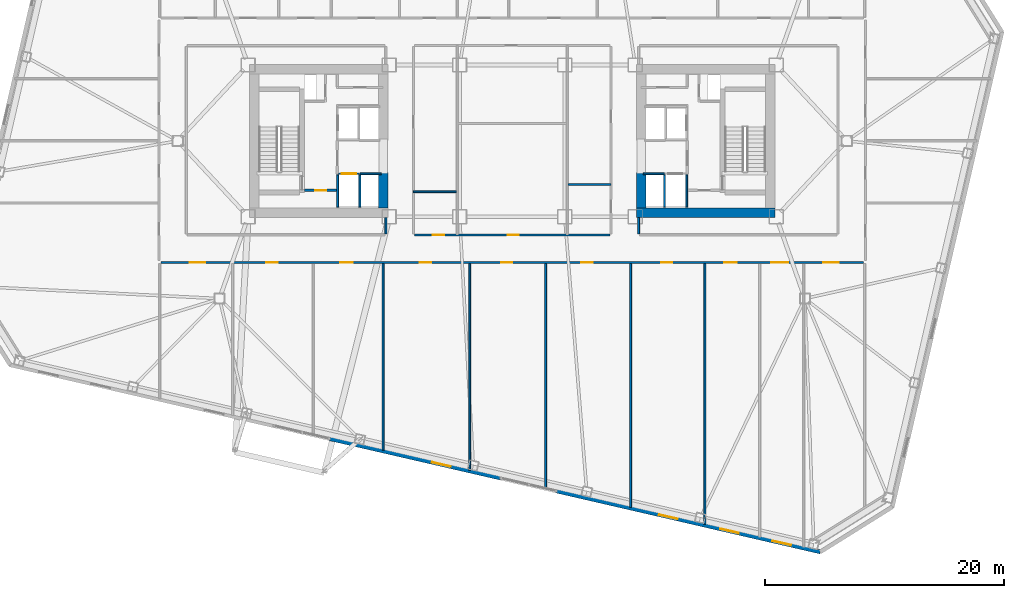
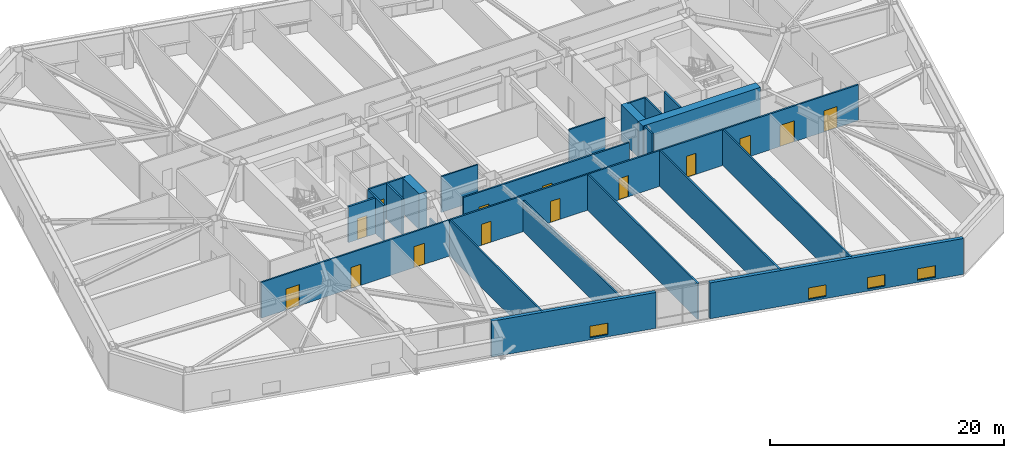
# One storey, part 10 of 20: 24 walls, 14 doors, 4 windows, 18 openings.
"""IFC4 building model written with IfcOpenShell, lengths in metres."""

from ifc_helpers import new_model, si_unit, direction, frame, frame_2d, origin, place, context, subcontext, project, spatial, rectangle, extrude, material, layer, layer_set, type_object, element, fill, save


model = new_model("IFC4")

# Units and contexts
model_context = context("Model", 3, precision=1e-05, world=origin(), true_north=direction((0.0, 1.0)))
body_context = subcontext(model_context, "Body", "Model", "MODEL_VIEW")
ifc_project = project(units=[si_unit("LENGTHUNIT", "METRE"), si_unit("AREAUNIT", "SQUARE_METRE"), si_unit("VOLUMEUNIT", "CUBIC_METRE"), si_unit("PLANEANGLEUNIT", "RADIAN"), si_unit("MASSUNIT", "GRAM", prefix="KILO")], contexts=[model_context])

# Site, building, storey
site_placement = place(None, origin())
site = spatial("IfcSite", under=ifc_project, at=site_placement, CompositionType="ELEMENT")
building_placement = place(site_placement, origin())
building = spatial("IfcBuilding", under=site, at=building_placement, Name="Tavrogorsk Clinical Tower", CompositionType="ELEMENT")
storey_placement = place(building_placement, frame((0.0, 0.0, 39.39990234375)))
storey = spatial("IfcBuildingStorey", under=building, at=storey_placement, Name="L07", CompositionType="ELEMENT", Elevation=39.39990234375)

# Wall, opening, door
ifc_material_1 = material(Name="Concrete B60", Category="concrete")
ifc_layer_1 = layer(ifc_material_1, 0.199951171875)
ifc_layer_set_1 = layer_set([ifc_layer_1], Name="Concrete B60")
wall_type_1 = type_object("IfcWallType", Name="CoreFireWall_200", PredefinedType="SOLIDWALL", material=ifc_layer_set_1)
wall_1_placement = place(storey_placement, frame((-17.3798828125, -4.139892578125, 0.0), z_axis=(0.0, 0.0, 1.0), x_axis=(1.0, 0.0, 0.0)))
wall_1 = element("IfcWall", 1, at=wall_1_placement, inside=storey, type_object=wall_type_1, Name="L07 Core West South Core Room Fire Wall", PredefinedType="SOLIDWALL", context=body_context, shape_type="SweptSolid", body=[
    extrude(rectangle(XDim=2.659912109375, YDim=0.199951171875, at=frame_2d((1.330078125, 0.0))), origin(), (0.0, 0.0, 1.0), 3.739990234375),
])
opening_1_placement = place(wall_1_placement, frame((0.8798828125, 0.0, 0.0)))
opening_1 = element("IfcOpeningElement", 2, at=opening_1_placement, cuts=wall_1, Name="Opening ID-02", PredefinedType="OPENING", context=body_context, shape_type="SweptSolid", body=[
    extrude(rectangle(XDim=0.949951171875, YDim=2.199951171875, at=frame_2d((0.47509765625, 1.10009765625))), frame((0.0, 0.10986328125, 0.0), z_axis=(0.0, -1.0, 0.0), x_axis=(1.0, 0.0, 0.0)), (0.0, 0.0, 1.0), 0.219970703125),
])
ifc_material_2 = material(Name="Laminated timber leaf on aluminium frame", Category="wood")
door_type_1 = type_object("IfcDoorType", Name="InteriorDoor_ID02_950", OperationType="NOTDEFINED", PredefinedType="DOOR", material=ifc_material_2)
door_1_placement = place(opening_1_placement, origin())
door_1 = element("IfcDoor", 3, at=door_1_placement, inside=storey, type_object=door_type_1, Name="L07 Core West South Core Room Door", OperationType="SINGLE_SWING_RIGHT", OverallHeight=2.199951171875, OverallWidth=0.949951171875, PredefinedType="DOOR", context=body_context, shape_type="SweptSolid", body=[
    extrude(rectangle(XDim=0.949951171875, YDim=2.199951171875, at=frame_2d((0.47509765625, 1.10009765625))), frame((0.0, 0.02490234375, 0.0), z_axis=(0.0, -1.0, 0.0), x_axis=(1.0, 0.0, 0.0)), (0.0, 0.0, 1.0), 0.050048828125),
])
fill(opening_1, door_1)

# Walls
ifc_material_3 = material(Name="Lightweight concrete blockwork B15", Category="masonry")
ifc_layer_2 = layer(ifc_material_3, 0.139892578125)
ifc_layer_set_2 = layer_set([ifc_layer_2], Name="Lightweight concrete blockwork B15")
wall_type_2 = type_object("IfcWallType", Name="PartitionWall_140", PredefinedType="PARTITIONING", material=ifc_layer_set_2)
for number, where, z_axis, x_axis, name in (
    (4, (-8.264892578125, -4.25, 0.0), (0.0, 0.0, 1.0), (1.0, 0.0, 0.0), "L07 Central Spine Partition 4"),
    (5, (4.675048828125, -3.64990234375, 0.0), (0.0, 0.0, 1.0), (1.0, 0.0, 0.0), "L07 Central Spine Partition 5"),
):
    element("IfcWall", number, at=place(storey_placement, frame(where, z_axis=z_axis, x_axis=x_axis)), inside=storey, type_object=wall_type_2, Name=name, PredefinedType="PARTITIONING", context=body_context, shape_type="SweptSolid", body=[
        extrude(rectangle(XDim=3.58984375, YDim=0.139892578125, at=frame_2d((1.794921875, 0.0))), origin(), (0.0, 0.0, 1.0), 3.739990234375),
    ])

# Wall, openings, doors
ifc_material_4 = material(Name="Lightweight concrete blockwork B15", Category="masonry")
ifc_layer_3 = layer(ifc_material_4, 0.159912109375)
ifc_layer_set_3 = layer_set([ifc_layer_3], Name="Lightweight concrete blockwork B15")
wall_type_3 = type_object("IfcWallType", Name="PartitionWall_160", PredefinedType="PARTITIONING", material=ifc_layer_set_3)
wall_2_placement = place(storey_placement, frame((29.4150390625, -10.179931640625, 0.0), z_axis=(0.0, 0.0, 1.0), x_axis=(-1.0, 0.0, 0.0)))
wall_2 = element("IfcWall", 6, at=wall_2_placement, inside=storey, type_object=wall_type_3, Name="L07 Corridor Partition 04", PredefinedType="PARTITIONING", context=body_context, shape_type="SweptSolid", body=[
    extrude(rectangle(XDim=58.830078125, YDim=0.159912109375, at=frame_2d((29.4150390625, 0.0))), origin(), (0.0, 0.0, 1.0), 3.739990234375),
])
opening_2_placement = place(wall_2_placement, frame((55.10595703125, 0.0, 0.0)))
opening_2 = element("IfcOpeningElement", 7, at=opening_2_placement, cuts=wall_2, Name="Opening ID-01", PredefinedType="OPENING", context=body_context, shape_type="SweptSolid", body=[
    extrude(rectangle(XDim=1.300048828125, YDim=2.199951171875, at=frame_2d((0.64990234375, 1.10009765625))), frame((0.0, 0.08984375, 0.0), z_axis=(0.0, -1.0, 0.0), x_axis=(1.0, 0.0, 0.0)), (0.0, 0.0, 1.0), 0.179931640625),
])
opening_3_placement = place(wall_2_placement, frame((49.050048828125, 0.0, 0.0)))
opening_3 = element("IfcOpeningElement", 8, at=opening_3_placement, cuts=wall_2, Name="Opening ID-02", PredefinedType="OPENING", context=body_context, shape_type="SweptSolid", body=[
    extrude(rectangle(XDim=0.949951171875, YDim=2.199951171875, at=frame_2d((0.47509765625, 1.10009765625))), frame((0.0, 0.08984375, 0.0), z_axis=(0.0, -1.0, 0.0), x_axis=(1.0, 0.0, 0.0)), (0.0, 0.0, 1.0), 0.179931640625),
])
opening_4_placement = place(wall_2_placement, frame((42.75, 0.0, 0.0)))
opening_4 = element("IfcOpeningElement", 9, at=opening_4_placement, cuts=wall_2, Name="Opening ID-04", PredefinedType="OPENING", context=body_context, shape_type="SweptSolid", body=[
    extrude(rectangle(XDim=1.050048828125, YDim=2.199951171875, at=frame_2d((0.52490234375, 1.10009765625))), frame((0.0, 0.08984375, 0.0), z_axis=(0.0, -1.0, 0.0), x_axis=(1.0, 0.0, 0.0)), (0.0, 0.0, 1.0), 0.179931640625),
])
opening_5_placement = place(wall_2_placement, frame((36.199951171875, 0.0, 0.0)))
opening_5 = element("IfcOpeningElement", 10, at=opening_5_placement, cuts=wall_2, Name="Opening ID-02", PredefinedType="OPENING", context=body_context, shape_type="SweptSolid", body=[
    extrude(rectangle(XDim=0.949951171875, YDim=2.199951171875, at=frame_2d((0.47509765625, 1.10009765625))), frame((0.0, 0.08984375, 0.0), z_axis=(0.0, -1.0, 0.0), x_axis=(1.0, 0.0, 0.0)), (0.0, 0.0, 1.0), 0.179931640625),
])
opening_6_placement = place(wall_2_placement, frame((29.39990234375, 0.0, 0.0)))
opening_6 = element("IfcOpeningElement", 11, at=opening_6_placement, cuts=wall_2, Name="Opening ID-02", PredefinedType="OPENING", context=body_context, shape_type="SweptSolid", body=[
    extrude(rectangle(XDim=0.949951171875, YDim=2.199951171875, at=frame_2d((0.47509765625, 1.10009765625))), frame((0.0, 0.08984375, 0.0), z_axis=(0.0, -1.0, 0.0), x_axis=(1.0, 0.0, 0.0)), (0.0, 0.0, 1.0), 0.179931640625),
])
opening_7_placement = place(wall_2_placement, frame((22.669921875, 0.0, 0.0)))
opening_7 = element("IfcOpeningElement", 12, at=opening_7_placement, cuts=wall_2, Name="Opening ID-02", PredefinedType="OPENING", context=body_context, shape_type="SweptSolid", body=[
    extrude(rectangle(XDim=0.949951171875, YDim=2.199951171875, at=frame_2d((0.47509765625, 1.10009765625))), frame((0.0, 0.08984375, 0.0), z_axis=(0.0, -1.0, 0.0), x_axis=(1.0, 0.0, 0.0)), (0.0, 0.0, 1.0), 0.179931640625),
])
opening_8_placement = place(wall_2_placement, frame((16.010009765625, 0.0, 0.0)))
opening_8 = element("IfcOpeningElement", 13, at=opening_8_placement, cuts=wall_2, Name="Opening ID-02", PredefinedType="OPENING", context=body_context, shape_type="SweptSolid", body=[
    extrude(rectangle(XDim=0.949951171875, YDim=2.199951171875, at=frame_2d((0.47509765625, 1.10009765625))), frame((0.0, 0.08984375, 0.0), z_axis=(0.0, -1.0, 0.0), x_axis=(1.0, 0.0, 0.0)), (0.0, 0.0, 1.0), 0.179931640625),
])
opening_9_placement = place(wall_2_placement, frame((10.610107421875, 0.0, 0.0)))
opening_9 = element("IfcOpeningElement", 14, at=opening_9_placement, cuts=wall_2, Name="Opening ID-04", PredefinedType="OPENING", context=body_context, shape_type="SweptSolid", body=[
    extrude(rectangle(XDim=1.050048828125, YDim=2.199951171875, at=frame_2d((0.52490234375, 1.10009765625))), frame((0.0, 0.08984375, 0.0), z_axis=(0.0, -1.0, 0.0), x_axis=(1.0, 0.0, 0.0)), (0.0, 0.0, 1.0), 0.179931640625),
])
opening_10_placement = place(wall_2_placement, frame((6.294921875, 0.0, 0.0)))
opening_10 = element("IfcOpeningElement", 15, at=opening_10_placement, cuts=wall_2, Name="Opening ID-05", PredefinedType="OPENING", context=body_context, shape_type="SweptSolid", body=[
    extrude(rectangle(XDim=1.449951171875, YDim=2.199951171875, at=frame_2d((0.72509765625, 1.10009765625))), frame((0.0, 0.08984375, 0.0), z_axis=(0.0, -1.0, 0.0), x_axis=(1.0, 0.0, 0.0)), (0.0, 0.0, 1.0), 0.179931640625),
])
opening_11_placement = place(wall_2_placement, frame((2.093994140625, 0.0, 0.0)))
opening_11 = element("IfcOpeningElement", 16, at=opening_11_placement, cuts=wall_2, Name="Opening ID-01", PredefinedType="OPENING", context=body_context, shape_type="SweptSolid", body=[
    extrude(rectangle(XDim=1.300048828125, YDim=2.199951171875, at=frame_2d((0.64990234375, 1.10009765625))), frame((0.0, 0.08984375, 0.0), z_axis=(0.0, -1.0, 0.0), x_axis=(1.0, 0.0, 0.0)), (0.0, 0.0, 1.0), 0.179931640625),
])
ifc_material_5 = material(Name="Antibacterial HPL consultation door on aluminium frame", Category="aluminium")
door_type_2 = type_object("IfcDoorType", Name="ConsultDoor_ID04_1050", OperationType="NOTDEFINED", PredefinedType="DOOR", material=ifc_material_5)
door_2_placement = place(opening_4_placement, origin())
door_2 = element("IfcDoor", 17, at=door_2_placement, inside=storey, type_object=door_type_2, Name="L07 South Soiled Utility & Sluice Room 02B Door", OperationType="SINGLE_SWING_LEFT", OverallHeight=2.199951171875, OverallWidth=1.050048828125, PredefinedType="DOOR", context=body_context, shape_type="SweptSolid", body=[
    extrude(rectangle(XDim=1.050048828125, YDim=2.199951171875, at=frame_2d((0.52490234375, 1.10009765625))), frame((0.0, 0.02490234375, 0.0), z_axis=(0.0, -1.0, 0.0), x_axis=(1.0, 0.0, 0.0)), (0.0, 0.0, 1.0), 0.050048828125),
])
fill(opening_4, door_2)
door_3_placement = place(opening_9_placement, origin())
door_3 = element("IfcDoor", 18, at=door_3_placement, inside=storey, type_object=door_type_2, Name="L07 South Attending Physician Office 05A Door", OperationType="SINGLE_SWING_RIGHT", OverallHeight=2.199951171875, OverallWidth=1.050048828125, PredefinedType="DOOR", context=body_context, shape_type="SweptSolid", body=[
    extrude(rectangle(XDim=1.050048828125, YDim=2.199951171875, at=frame_2d((0.52490234375, 1.10009765625))), frame((0.0, 0.02490234375, 0.0), z_axis=(0.0, -1.0, 0.0), x_axis=(1.0, 0.0, 0.0)), (0.0, 0.0, 1.0), 0.050048828125),
])
fill(opening_9, door_3)
ifc_material_6 = material(Name="Antibacterial HPL bariatric ward double door")
door_type_3 = type_object("IfcDoorType", Name="DoubleWardDoor_ID05_1450", OperationType="DOUBLE_SWING_LEFT", PredefinedType="DOOR", material=ifc_material_6)
door_4_placement = place(opening_10_placement, origin())
door_4 = element("IfcDoor", 19, at=door_4_placement, inside=storey, type_object=door_type_3, Name="L07 South Bariatric Observation Ward 05B Door", OperationType="DOUBLE_SWING_LEFT", OverallHeight=2.199951171875, OverallWidth=1.449951171875, PredefinedType="DOOR", context=body_context, shape_type="SweptSolid", body=[
    extrude(rectangle(XDim=1.449951171875, YDim=2.199951171875, at=frame_2d((0.72509765625, 1.10009765625))), frame((0.0, 0.02490234375, 0.0), z_axis=(0.0, -1.0, 0.0), x_axis=(1.0, 0.0, 0.0)), (0.0, 0.0, 1.0), 0.050048828125),
])
fill(opening_10, door_4)
door_5_placement = place(opening_3_placement, origin())
door_5 = element("IfcDoor", 20, at=door_5_placement, inside=storey, type_object=door_type_1, Name="L07 South Clean Medication & Prep Room 02A Door", OperationType="SINGLE_SWING_RIGHT", OverallHeight=2.199951171875, OverallWidth=0.949951171875, PredefinedType="DOOR", context=body_context, shape_type="SweptSolid", body=[
    extrude(rectangle(XDim=0.949951171875, YDim=2.199951171875, at=frame_2d((0.47509765625, 1.10009765625))), frame((0.0, 0.02490234375, 0.0), z_axis=(0.0, -1.0, 0.0), x_axis=(1.0, 0.0, 0.0)), (0.0, 0.0, 1.0), 0.050048828125),
])
fill(opening_3, door_5)
door_6_placement = place(opening_5_placement, origin())
door_6 = element("IfcDoor", 21, at=door_6_placement, inside=storey, type_object=door_type_1, Name="L07 South Outpatient Procedure Suite 03A Door", OperationType="SINGLE_SWING_RIGHT", OverallHeight=2.199951171875, OverallWidth=0.949951171875, PredefinedType="DOOR", context=body_context, shape_type="SweptSolid", body=[
    extrude(rectangle(XDim=0.949951171875, YDim=2.199951171875, at=frame_2d((0.47509765625, 1.10009765625))), frame((0.0, 0.02490234375, 0.0), z_axis=(0.0, -1.0, 0.0), x_axis=(1.0, 0.0, 0.0)), (0.0, 0.0, 1.0), 0.050048828125),
])
fill(opening_5, door_6)
door_7_placement = place(opening_6_placement, origin())
door_7 = element("IfcDoor", 22, at=door_7_placement, inside=storey, type_object=door_type_1, Name="L07 South Clinical Case Seminar Room 03B Door", OperationType="SINGLE_SWING_LEFT", OverallHeight=2.199951171875, OverallWidth=0.949951171875, PredefinedType="DOOR", context=body_context, shape_type="SweptSolid", body=[
    extrude(rectangle(XDim=0.949951171875, YDim=2.199951171875, at=frame_2d((0.47509765625, 1.10009765625))), frame((0.0, 0.02490234375, 0.0), z_axis=(0.0, -1.0, 0.0), x_axis=(1.0, 0.0, 0.0)), (0.0, 0.0, 1.0), 0.050048828125),
])
fill(opening_6, door_7)
door_8_placement = place(opening_7_placement, origin())
door_8 = element("IfcDoor", 23, at=door_8_placement, inside=storey, type_object=door_type_1, Name="L07 South Cardiology Diagnostics Room 04A Door", OperationType="SINGLE_SWING_RIGHT", OverallHeight=2.199951171875, OverallWidth=0.949951171875, PredefinedType="DOOR", context=body_context, shape_type="SweptSolid", body=[
    extrude(rectangle(XDim=0.949951171875, YDim=2.199951171875, at=frame_2d((0.47509765625, 1.10009765625))), frame((0.0, 0.02490234375, 0.0), z_axis=(0.0, -1.0, 0.0), x_axis=(1.0, 0.0, 0.0)), (0.0, 0.0, 1.0), 0.050048828125),
])
fill(opening_7, door_8)
door_9_placement = place(opening_8_placement, origin())
door_9 = element("IfcDoor", 24, at=door_9_placement, inside=storey, type_object=door_type_1, Name="L07 South Staff Rest & Nourishment Lounge 04B Door", OperationType="SINGLE_SWING_LEFT", OverallHeight=2.199951171875, OverallWidth=0.949951171875, PredefinedType="DOOR", context=body_context, shape_type="SweptSolid", body=[
    extrude(rectangle(XDim=0.949951171875, YDim=2.199951171875, at=frame_2d((0.47509765625, 1.10009765625))), frame((0.0, 0.02490234375, 0.0), z_axis=(0.0, -1.0, 0.0), x_axis=(1.0, 0.0, 0.0)), (0.0, 0.0, 1.0), 0.050048828125),
])
fill(opening_8, door_9)
ifc_material_7 = material(Name="Antibacterial HPL medical leaf on aluminium frame", Category="aluminium")
door_type_4 = type_object("IfcDoorType", Name="WardBedDoor_ID01_1300", OperationType="NOTDEFINED", PredefinedType="DOOR", material=ifc_material_7)
door_10_placement = place(opening_2_placement, origin())
door_10 = element("IfcDoor", 25, at=door_10_placement, inside=storey, type_object=door_type_4, Name="L07 South Acute Medical Ward 01 Door", OperationType="SINGLE_SWING_LEFT", OverallHeight=2.199951171875, OverallWidth=1.300048828125, PredefinedType="DOOR", context=body_context, shape_type="SweptSolid", body=[
    extrude(rectangle(XDim=1.300048828125, YDim=2.199951171875, at=frame_2d((0.64990234375, 1.10009765625))), frame((0.0, 0.02490234375, 0.0), z_axis=(0.0, -1.0, 0.0), x_axis=(1.0, 0.0, 0.0)), (0.0, 0.0, 1.0), 0.050048828125),
])
fill(opening_2, door_10)
door_11_placement = place(opening_11_placement, origin())
door_11 = element("IfcDoor", 26, at=door_11_placement, inside=storey, type_object=door_type_4, Name="L07 South Acute Medical Ward 06 Door", OperationType="SINGLE_SWING_RIGHT", OverallHeight=2.199951171875, OverallWidth=1.300048828125, PredefinedType="DOOR", context=body_context, shape_type="SweptSolid", body=[
    extrude(rectangle(XDim=1.300048828125, YDim=2.199951171875, at=frame_2d((0.64990234375, 1.10009765625))), frame((0.0, 0.02490234375, 0.0), z_axis=(0.0, -1.0, 0.0), x_axis=(1.0, 0.0, 0.0)), (0.0, 0.0, 1.0), 0.050048828125),
])
fill(opening_11, door_11)

# Wall
wall_3_placement = place(storey_placement, frame((10.580078125, -6.419921875, 0.0), z_axis=(0.0, 0.0, 1.0), x_axis=(0.0, -1.0, 0.0)))
element("IfcWall", 27, at=wall_3_placement, inside=storey, type_object=wall_type_3, Name="L07 Corridor Partition 07", PredefinedType="PARTITIONING", context=body_context, shape_type="SweptSolid", body=[
    extrude(rectangle(XDim=1.364990234375, YDim=0.159912109375, at=frame_2d((0.6826171875, 0.0))), origin(), (0.0, 0.0, 1.0), 3.739990234375),
])

# Wall, openings, doors
wall_4_placement = place(storey_placement, frame((-8.18505859375, -7.8701171875, 0.0), z_axis=(0.0, 0.0, 1.0), x_axis=(1.0, 0.0, 0.0)))
wall_4 = element("IfcWall", 28, at=wall_4_placement, inside=storey, type_object=wall_type_3, Name="L07 Corridor Partition 13", PredefinedType="PARTITIONING", context=body_context, shape_type="SweptSolid", body=[
    extrude(rectangle(XDim=16.3701171875, YDim=0.159912109375, at=frame_2d((8.18505859375, 0.0))), origin(), (0.0, 0.0, 1.0), 3.739990234375),
])
opening_12_placement = place(wall_4_placement, frame((1.55419921875, 0.0, 0.0)))
opening_12 = element("IfcOpeningElement", 29, at=opening_12_placement, cuts=wall_4, Name="Opening ID-02", PredefinedType="OPENING", context=body_context, shape_type="SweptSolid", body=[
    extrude(rectangle(XDim=0.949951171875, YDim=2.199951171875, at=frame_2d((0.47509765625, 1.10009765625))), frame((0.0, 0.08984375, 0.0), z_axis=(0.0, -1.0, 0.0), x_axis=(1.0, 0.0, 0.0)), (0.0, 0.0, 1.0), 0.179931640625),
])
opening_13_placement = place(wall_4_placement, frame((7.794921875, 0.0, 0.0)))
opening_13 = element("IfcOpeningElement", 30, at=opening_13_placement, cuts=wall_4, Name="Opening ID-02", PredefinedType="OPENING", context=body_context, shape_type="SweptSolid", body=[
    extrude(rectangle(XDim=0.949951171875, YDim=2.199951171875, at=frame_2d((0.47509765625, 1.10009765625))), frame((0.0, 0.08984375, 0.0), z_axis=(0.0, -1.0, 0.0), x_axis=(1.0, 0.0, 0.0)), (0.0, 0.0, 1.0), 0.179931640625),
])
door_12_placement = place(opening_12_placement, origin())
door_12 = element("IfcDoor", 31, at=door_12_placement, inside=storey, type_object=door_type_1, Name="L07 Accessible Patient Lavatory Door", OperationType="SINGLE_SWING_LEFT", OverallHeight=2.199951171875, OverallWidth=0.949951171875, PredefinedType="DOOR", context=body_context, shape_type="SweptSolid", body=[
    extrude(rectangle(XDim=0.949951171875, YDim=2.199951171875, at=frame_2d((0.47509765625, 1.10009765625))), frame((0.0, 0.02490234375, 0.0), z_axis=(0.0, -1.0, 0.0), x_axis=(1.0, 0.0, 0.0)), (0.0, 0.0, 1.0), 0.050048828125),
])
fill(opening_12, door_12)
door_13_placement = place(opening_13_placement, origin())
door_13 = element("IfcDoor", 32, at=door_13_placement, inside=storey, type_object=door_type_1, Name="L07 Multidisciplinary Conference Room Door", OperationType="SINGLE_SWING_LEFT", OverallHeight=2.199951171875, OverallWidth=0.949951171875, PredefinedType="DOOR", context=body_context, shape_type="SweptSolid", body=[
    extrude(rectangle(XDim=0.949951171875, YDim=2.199951171875, at=frame_2d((0.47509765625, 1.10009765625))), frame((0.0, 0.02490234375, 0.0), z_axis=(0.0, -1.0, 0.0), x_axis=(1.0, 0.0, 0.0)), (0.0, 0.0, 1.0), 0.050048828125),
])
fill(opening_13, door_13)

# Walls
wall_5_placement = place(storey_placement, frame((-10.580078125, -7.784912109375, 0.0), z_axis=(0.0, 0.0, 1.0), x_axis=(0.0, 1.0, 0.0)))
element("IfcWall", 33, at=wall_5_placement, inside=storey, type_object=wall_type_3, Name="L07 Corridor Partition 14", PredefinedType="PARTITIONING", context=body_context, shape_type="SweptSolid", body=[
    extrude(rectangle(XDim=1.364990234375, YDim=0.159912109375, at=frame_2d((0.6826171875, 0.0))), origin(), (0.0, 0.0, 1.0), 1.53515625),
])
wall_6_placement = place(storey_placement, frame((-10.800048828125, -25.8876953125, 0.0), z_axis=(0.0, 0.0, 1.0), x_axis=(0.0, 1.0, 0.0)))
element("IfcWall", 34, at=wall_6_placement, inside=storey, type_object=wall_type_3, Name="L07 South Room Partition 2", PredefinedType="PARTITIONING", context=body_context, shape_type="SweptSolid", body=[
    extrude(rectangle(XDim=15.622802734375, YDim=0.159912109375, at=frame_2d((7.8115234375, 0.0))), origin(), (0.0, 0.0, 1.0), 3.739990234375),
])
wall_7_placement = place(storey_placement, frame((2.800048828125, -29.027587890625, 0.0), z_axis=(0.0, 0.0, 1.0), x_axis=(0.0, 1.0, 0.0)))
element("IfcWall", 35, at=wall_7_placement, inside=storey, type_object=wall_type_3, Name="L07 South Room Partition 3", PredefinedType="PARTITIONING", context=body_context, shape_type="SweptSolid", body=[
    extrude(rectangle(XDim=18.7626953125, YDim=0.159912109375, at=frame_2d((9.38134765625, 0.0))), origin(), (0.0, 0.0, 1.0), 3.739990234375),
])
wall_8_placement = place(storey_placement, frame((16.1201171875, -32.102783203125, 0.0), z_axis=(0.0, 0.0, 1.0), x_axis=(0.0, 1.0, 0.0)))
element("IfcWall", 36, at=wall_8_placement, inside=storey, type_object=wall_type_3, Name="L07 South Room Partition 4", PredefinedType="PARTITIONING", context=body_context, shape_type="SweptSolid", body=[
    extrude(rectangle(XDim=21.837890625, YDim=0.159912109375, at=frame_2d((10.9189453125, 0.0))), origin(), (0.0, 0.0, 1.0), 3.739990234375),
])
wall_9_placement = place(storey_placement, frame((-3.550048828125, -27.5615234375, 0.0), z_axis=(0.0, 0.0, 1.0), x_axis=(0.0, 1.0, 0.0)))
element("IfcWall", 37, at=wall_9_placement, inside=storey, type_object=wall_type_3, Name="L07 South Sub-Partition 3", PredefinedType="PARTITIONING", context=body_context, shape_type="SweptSolid", body=[
    extrude(rectangle(XDim=17.296630859375, YDim=0.159912109375, at=frame_2d((8.6484375, 0.0))), origin(), (0.0, 0.0, 1.0), 3.235107421875),
])
wall_10_placement = place(storey_placement, frame((9.909912109375, -30.669189453125, 0.0), z_axis=(0.0, 0.0, 1.0), x_axis=(0.0, 1.0, 0.0)))
element("IfcWall", 38, at=wall_10_placement, inside=storey, type_object=wall_type_3, Name="L07 South Sub-Partition 4", PredefinedType="PARTITIONING", context=body_context, shape_type="SweptSolid", body=[
    extrude(rectangle(XDim=20.404296875, YDim=0.159912109375, at=frame_2d((10.2021484375, 0.0))), origin(), (0.0, 0.0, 1.0), 3.739990234375),
])

# Wall, opening, window
ifc_material_8 = material(Name="Precast concrete B45 with limestone cladding", Category="masonry")
ifc_layer_4 = layer(ifc_material_8, 0.340087890625)
ifc_layer_set_4 = layer_set([ifc_layer_4], Name="Precast concrete B45 with limestone cladding")
wall_type_4 = type_object("IfcWallType", Name="PrecastLimestoneWall_340", PredefinedType="STANDARD", material=ifc_layer_set_4)
wall_11_placement = place(storey_placement, frame((-15.28076171875, -24.925048828125, 0.0), z_axis=(0.0, 0.0, 1.0), x_axis=(0.974370193991, -0.22495049469, 0.0)))
wall_11 = element("IfcWall", 39, at=wall_11_placement, inside=storey, type_object=wall_type_4, Name="L07 S Limestone Facade Wall 2", PredefinedType="STANDARD", context=body_context, shape_type="SweptSolid", body=[
    extrude(rectangle(XDim=14.697265625, YDim=0.340087890625, at=frame_2d((7.3486328125, 0.0))), origin(), (0.0, 0.0, 1.0), 3.739990234375),
])
opening_14_placement = place(wall_11_placement, frame((8.790771484375, 0.0, 0.219970703125)))
opening_14 = element("IfcOpeningElement", 40, at=opening_14_placement, cuts=wall_11, Name="Opening WN-09", PredefinedType="OPENING", context=body_context, shape_type="SweptSolid", body=[
    extrude(rectangle(XDim=1.60009765625, YDim=1.199951171875, at=frame_2d((0.800048828125, 0.60009765625))), frame((0.0, 0.179931640625, 0.0), z_axis=(0.0, -1.0, 0.0), x_axis=(1.0, 0.0, 0.0)), (0.0, 0.0, 1.0), 0.360107421875),
])
ifc_material_9 = material(Name="Thermally broken aluminium frame and triple IGU", Category="aluminium")
window_type = type_object("IfcWindowType", Name="LowHeadTransWin_1600x1200", PartitioningType="DOUBLE_PANEL_VERTICAL", PredefinedType="WINDOW", material=ifc_material_9)
window_1_placement = place(opening_14_placement, origin())
window_1 = element("IfcWindow", 41, at=window_1_placement, inside=storey, type_object=window_type, Name="L07 S Chicago Window 06", OverallHeight=1.199951171875, OverallWidth=1.60009765625, PartitioningType="SINGLE_PANEL", PredefinedType="WINDOW", context=body_context, shape_type="SweptSolid", body=[
    extrude(rectangle(XDim=1.60009765625, YDim=1.199951171875, at=frame_2d((0.800048828125, 0.60009765625))), frame((0.0, 0.030029296875, 0.0), z_axis=(0.0, -1.0, 0.0), x_axis=(1.0, 0.0, 0.0)), (0.0, 0.0, 1.0), 0.06005859375),
])
fill(opening_14, window_1)

# Wall, openings, windows
wall_12_placement = place(storey_placement, frame((3.716796875, -29.31103515625, 0.0), z_axis=(0.0, 0.0, 1.0), x_axis=(0.97436993772, -0.224951604723, 0.0)))
wall_12 = element("IfcWall", 42, at=wall_12_placement, inside=storey, type_object=wall_type_4, Name="L07 S Limestone Facade Wall 3", PredefinedType="STANDARD", context=body_context, shape_type="SweptSolid", body=[
    extrude(rectangle(XDim=22.6513671875, YDim=0.340087890625, at=frame_2d((11.32568359375, 0.0))), origin(), (0.0, 0.0, 1.0), 3.739990234375),
])
opening_15_placement = place(wall_12_placement, frame((8.790771484375, 0.0, 0.219970703125)))
opening_15 = element("IfcOpeningElement", 43, at=opening_15_placement, cuts=wall_12, Name="Opening WN-09", PredefinedType="OPENING", context=body_context, shape_type="SweptSolid", body=[
    extrude(rectangle(XDim=1.60009765625, YDim=1.199951171875, at=frame_2d((0.800048828125, 0.60009765625))), frame((0.0, 0.179931640625, 0.0), z_axis=(0.0, -1.0, 0.0), x_axis=(1.0, 0.0, 0.0)), (0.0, 0.0, 1.0), 0.360107421875),
])
opening_16_placement = place(wall_12_placement, frame((14.054931640625, 0.0, 0.219970703125)))
opening_16 = element("IfcOpeningElement", 44, at=opening_16_placement, cuts=wall_12, Name="Opening WN-09", PredefinedType="OPENING", context=body_context, shape_type="SweptSolid", body=[
    extrude(rectangle(XDim=1.60009765625, YDim=1.199951171875, at=frame_2d((0.800048828125, 0.60009765625))), frame((0.0, 0.179931640625, 0.0), z_axis=(0.0, -1.0, 0.0), x_axis=(1.0, 0.0, 0.0)), (0.0, 0.0, 1.0), 0.360107421875),
])
opening_17_placement = place(wall_12_placement, frame((18.539306640625, 0.0, 0.219970703125)))
opening_17 = element("IfcOpeningElement", 45, at=opening_17_placement, cuts=wall_12, Name="Opening WN-09", PredefinedType="OPENING", context=body_context, shape_type="SweptSolid", body=[
    extrude(rectangle(XDim=1.60009765625, YDim=1.199951171875, at=frame_2d((0.800048828125, 0.60009765625))), frame((0.0, 0.179931640625, 0.0), z_axis=(0.0, -1.0, 0.0), x_axis=(1.0, 0.0, 0.0)), (0.0, 0.0, 1.0), 0.360107421875),
])
window_2_placement = place(opening_15_placement, origin())
window_2 = element("IfcWindow", 46, at=window_2_placement, inside=storey, type_object=window_type, Name="L07 S Chicago Window 08", OverallHeight=1.199951171875, OverallWidth=1.60009765625, PartitioningType="SINGLE_PANEL", PredefinedType="WINDOW", context=body_context, shape_type="SweptSolid", body=[
    extrude(rectangle(XDim=1.60009765625, YDim=1.199951171875, at=frame_2d((0.800048828125, 0.60009765625))), frame((0.0, 0.030029296875, 0.0), z_axis=(0.0, -1.0, 0.0), x_axis=(1.0, 0.0, 0.0)), (0.0, 0.0, 1.0), 0.06005859375),
])
fill(opening_15, window_2)
window_3_placement = place(opening_16_placement, origin())
window_3 = element("IfcWindow", 47, at=window_3_placement, inside=storey, type_object=window_type, Name="L07 S Chicago Window 09", OverallHeight=1.199951171875, OverallWidth=1.60009765625, PartitioningType="SINGLE_PANEL", PredefinedType="WINDOW", context=body_context, shape_type="SweptSolid", body=[
    extrude(rectangle(XDim=1.60009765625, YDim=1.199951171875, at=frame_2d((0.800048828125, 0.60009765625))), frame((0.0, 0.030029296875, 0.0), z_axis=(0.0, -1.0, 0.0), x_axis=(1.0, 0.0, 0.0)), (0.0, 0.0, 1.0), 0.06005859375),
])
fill(opening_16, window_3)
window_4_placement = place(opening_17_placement, origin())
window_4 = element("IfcWindow", 48, at=window_4_placement, inside=storey, type_object=window_type, Name="L07 S Chicago Window 10", OverallHeight=1.199951171875, OverallWidth=1.60009765625, PartitioningType="SINGLE_PANEL", PredefinedType="WINDOW", context=body_context, shape_type="SweptSolid", body=[
    extrude(rectangle(XDim=1.60009765625, YDim=1.199951171875, at=frame_2d((0.800048828125, 0.60009765625))), frame((0.0, 0.030029296875, 0.0), z_axis=(0.0, -1.0, 0.0), x_axis=(1.0, 0.0, 0.0)), (0.0, 0.0, 1.0), 0.06005859375),
])
fill(opening_17, window_4)

# Wall, opening, door
ifc_material_10 = material(Name="Lightweight concrete blockwork B25", Category="masonry")
ifc_layer_5 = layer(ifc_material_10, 0.159912109375)
ifc_layer_set_5 = layer_set([ifc_layer_5], Name="Lightweight concrete blockwork B25")
wall_type_5 = type_object("IfcWallType", Name="ShaftWall_160", PredefinedType="PARTITIONING", material=ifc_layer_set_5)
wall_13_placement = place(storey_placement, frame((-14.530029296875, -2.75, 0.0), z_axis=(0.0, 0.0, 1.0), x_axis=(1.0, 0.0, 0.0)))
wall_13 = element("IfcWall", 49, at=wall_13_placement, inside=storey, type_object=wall_type_5, Name="L07 LP-L1 Lift Shaft Portal Wall", PredefinedType="PARTITIONING", context=body_context, shape_type="SweptSolid", body=[
    extrude(rectangle(XDim=1.760009765625, YDim=0.159912109375, at=frame_2d((0.8798828125, 0.0))), origin(), (0.0, 0.0, 1.0), 3.739990234375),
])
opening_18_placement = place(wall_13_placement, frame((0.280029296875, 0.0, 0.0)))
opening_18 = element("IfcOpeningElement", 50, at=opening_18_placement, cuts=wall_13, Name="Opening LD", PredefinedType="OPENING", context=body_context, shape_type="SweptSolid", body=[
    extrude(rectangle(XDim=1.199951171875, YDim=2.199951171875, at=frame_2d((0.60009765625, 1.10009765625))), frame((0.0, 0.08984375, 0.0), z_axis=(0.0, -1.0, 0.0), x_axis=(1.0, 0.0, 0.0)), (0.0, 0.0, 1.0), 0.179931640625),
])
ifc_material_11 = material(Name="Brushed stainless steel AISI 304 sliding doors", Category="steel")
door_type_5 = type_object("IfcDoorType", Name="LiftLandingDoor_LD_1200", OperationType="SLIDING_TO_LEFT", PredefinedType="DOOR", material=ifc_material_11)
door_14_placement = place(opening_18_placement, origin())
door_14 = element("IfcDoor", 51, at=door_14_placement, inside=storey, type_object=door_type_5, Name="L07 LP-L1 Sliding Lift Landing Door", OperationType="SLIDING_TO_LEFT", OverallHeight=2.199951171875, OverallWidth=1.199951171875, PredefinedType="DOOR", context=body_context, shape_type="SweptSolid", body=[
    extrude(rectangle(XDim=1.199951171875, YDim=2.199951171875, at=frame_2d((0.60009765625, 1.10009765625))), frame((0.0, 0.02490234375, 0.0), z_axis=(0.0, -1.0, 0.0), x_axis=(1.0, 0.0, 0.0)), (0.0, 0.0, 1.0), 0.050048828125),
])
fill(opening_18, door_14)

# Walls
for number, where, z_axis, x_axis, name in (
    (52, (-12.75, -5.5400390625, 0.0), (0.0, 0.0, 1.0), (0.0, 1.0, 0.0), "L07 LP-L1 Lift Hoistway Divider Wall"),
    (53, (-14.610107421875, -5.5400390625, 0.0), (0.0, 0.0, 1.0), (0.0, 1.0, 0.0), "L07 LP-L1 Lift Hoistway Outer Cheek Wall"),
):
    element("IfcWall", number, at=place(storey_placement, frame(where, z_axis=z_axis, x_axis=x_axis)), inside=storey, type_object=wall_type_5, Name=name, PredefinedType="PARTITIONING", context=body_context, shape_type="SweptSolid", body=[
        extrude(rectangle(XDim=2.699951171875, YDim=0.159912109375, at=frame_2d((1.35009765625, 0.0))), origin(), (0.0, 0.0, 1.0), 3.739990234375),
    ])
wall_14_placement = place(storey_placement, frame((-12.72998046875, -2.75, 0.0), z_axis=(0.0, 0.0, 1.0), x_axis=(1.0, 0.0, 0.0)))
element("IfcWall", 54, at=wall_14_placement, inside=storey, type_object=wall_type_5, Name="L07 LP-M1 Lift Shaft Portal Wall", PredefinedType="PARTITIONING", context=body_context, shape_type="SweptSolid", body=[
    extrude(rectangle(XDim=1.760009765625, YDim=0.159912109375, at=frame_2d((0.8798828125, 0.0))), origin(), (0.0, 0.0, 1.0), 3.739990234375),
])
for number, where, z_axis, x_axis, name in (
    (55, (12.75, -5.5400390625, 0.0), (0.0, 0.0, 1.0), (0.0, 1.0, 0.0), "L07 LP-L2 Lift Hoistway Divider Wall"),
    (56, (14.610107421875, -5.5400390625, 0.0), (0.0, 0.0, 1.0), (0.0, 1.0, 0.0), "L07 LP-L2 Lift Hoistway Outer Cheek Wall"),
):
    element("IfcWall", number, at=place(storey_placement, frame(where, z_axis=z_axis, x_axis=x_axis)), inside=storey, type_object=wall_type_5, Name=name, PredefinedType="PARTITIONING", context=body_context, shape_type="SweptSolid", body=[
        extrude(rectangle(XDim=2.699951171875, YDim=0.159912109375, at=frame_2d((1.35009765625, 0.0))), origin(), (0.0, 0.0, 1.0), 3.739990234375),
    ])
wall_15_placement = place(storey_placement, frame((10.969970703125, -2.75, 0.0), z_axis=(0.0, 0.0, 1.0), x_axis=(1.0, 0.0, 0.0)))
element("IfcWall", 57, at=wall_15_placement, inside=storey, type_object=wall_type_5, Name="L07 LP-M2 Lift Shaft Portal Wall", PredefinedType="PARTITIONING", context=body_context, shape_type="SweptSolid", body=[
    extrude(rectangle(XDim=1.760009765625, YDim=0.159912109375, at=frame_2d((0.8798828125, 0.0))), origin(), (0.0, 0.0, 1.0), 3.739990234375),
])
ifc_material_12 = material(Name="Concrete B80", Category="concrete")
ifc_layer_6 = layer(ifc_material_12, 0.800048828125)
ifc_layer_set_6 = layer_set([ifc_layer_6], Name="Concrete B80")
wall_type_6 = type_object("IfcWallType", Name="ShearWall_800", PredefinedType="SHEAR", material=ifc_layer_set_6)
wall_16_placement = place(storey_placement, frame((-10.800048828125, -5.60009765625, 0.0), z_axis=(0.0, 0.0, 1.0), x_axis=(0.0, 1.0, 0.0)))
element("IfcWall", 58, at=wall_16_placement, inside=storey, type_object=wall_type_6, Name="L07 Core West Inner South Pier", PredefinedType="SHEAR", context=body_context, shape_type="SweptSolid", body=[
    extrude(rectangle(XDim=2.9501953125, YDim=0.800048828125, at=frame_2d((1.47509765625, 0.0))), origin(), (0.0, 0.0, 1.0), 3.739990234375),
])
wall_17_placement = place(storey_placement, frame((10.39990234375, -6.0, 0.0), z_axis=(0.0, 0.0, 1.0), x_axis=(1.0, 0.0, 0.0)))
element("IfcWall", 59, at=wall_17_placement, inside=storey, type_object=wall_type_6, Name="L07 Core East South Shear Wall", PredefinedType="SHEAR", context=body_context, shape_type="SweptSolid", body=[
    extrude(rectangle(XDim=11.60009765625, YDim=0.800048828125, at=frame_2d((5.800048828125, 0.0))), origin(), (0.0, 0.0, 1.0), 3.739990234375),
])
wall_18_placement = place(storey_placement, frame((10.800048828125, -5.60009765625, 0.0), z_axis=(0.0, 0.0, 1.0), x_axis=(0.0, 1.0, 0.0)))
element("IfcWall", 60, at=wall_18_placement, inside=storey, type_object=wall_type_6, Name="L07 Core East Inner South Pier", PredefinedType="SHEAR", context=body_context, shape_type="SweptSolid", body=[
    extrude(rectangle(XDim=2.9501953125, YDim=0.800048828125, at=frame_2d((1.47509765625, 0.0))), origin(), (0.0, 0.0, 1.0), 3.739990234375),
])

save(model, "model.ifc")
